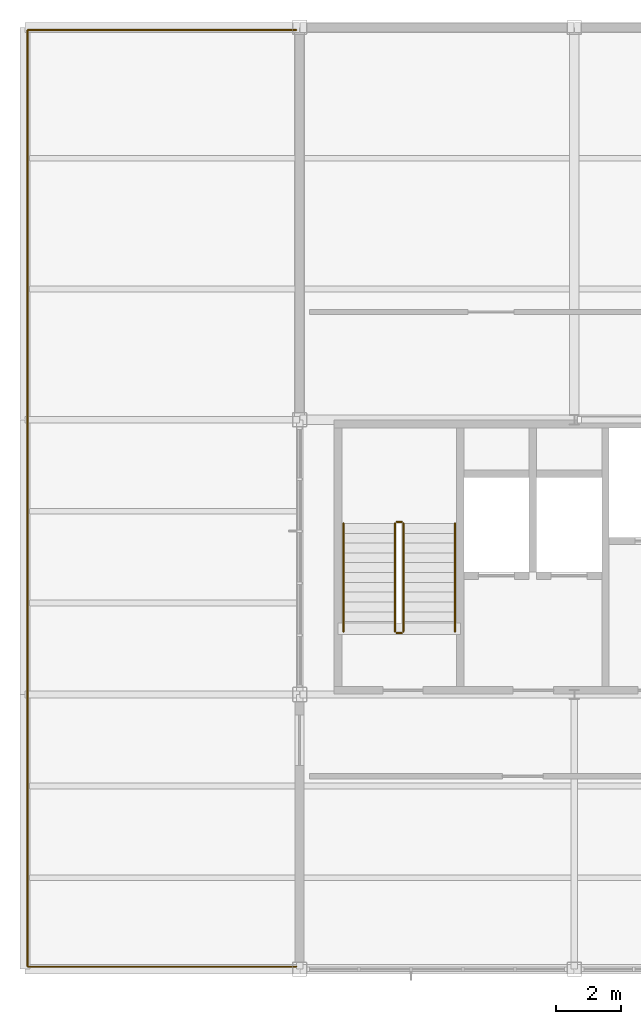
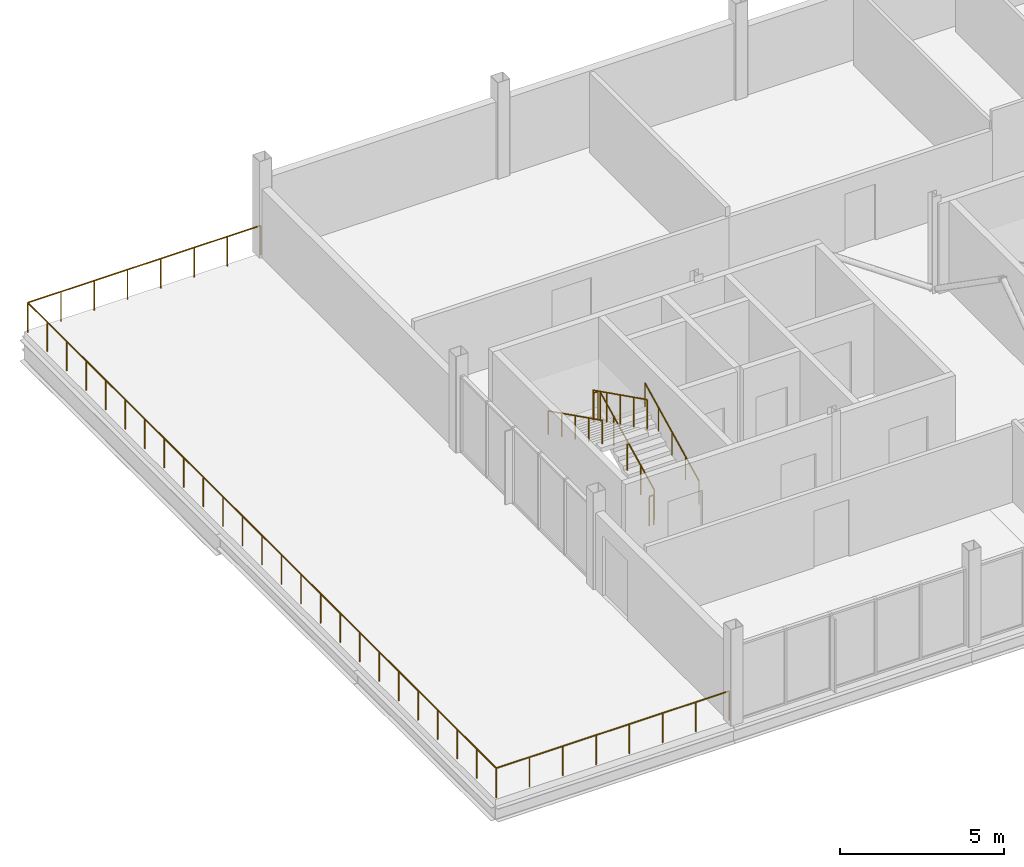
# One storey, part 13 of 14: 7 railings.
"""IFC4 building model written with IfcOpenShell, lengths in metres."""

from ifc_helpers import new_model, si_unit, direction, frame, origin, origin_2d, place, context, subcontext, project, spatial, circle, extrude, material, layer, layer_set, type_object, element, save


model = new_model("IFC4")

# Units and contexts
model_context = context("Model", 3, precision=1e-05, world=origin(), true_north=direction((0.0, 1.0)))
body_context = subcontext(model_context, "Body", "Model", "MODEL_VIEW")
ifc_project = project(units=[si_unit("LENGTHUNIT", "METRE"), si_unit("AREAUNIT", "SQUARE_METRE"), si_unit("VOLUMEUNIT", "CUBIC_METRE"), si_unit("PLANEANGLEUNIT", "RADIAN"), si_unit("MASSUNIT", "GRAM", prefix="KILO")], contexts=[model_context])

# Site, building, storey
site_placement = place(None, origin())
site = spatial("IfcSite", under=ifc_project, at=site_placement, CompositionType="ELEMENT")
building_placement = place(site_placement, origin())
building = spatial("IfcBuilding", under=site, at=building_placement, Name="Yukiwa Park Conservatory and Herbarium", CompositionType="ELEMENT")
storey_placement = place(building_placement, frame((0.0, 0.0, 50.39990234375)))
storey = spatial("IfcBuildingStorey", under=building, at=storey_placement, Name="L13", CompositionType="ELEMENT", Elevation=50.39990234375)

# Railings
ifc_material_1 = material(Name="Steel Q235B", Category="steel")
ifc_layer_1 = layer(ifc_material_1, 0.050048828125)
ifc_layer_set_1 = layer_set([ifc_layer_1], Name="Steel Q235B")
railing_type_1 = type_object("IfcRailingType", Name="RL-STAIR-GUARD-1120", PredefinedType="BALUSTRADE", material=ifc_layer_set_1)
railing_1_placement = place(storey_placement, frame((136.3701171875, 96.72998046875, 0.150146484375)))
element("IfcRailing", 1, at=railing_1_placement, inside=storey, type_object=railing_type_1, Name="L13 ST-T1 stair guard 1", PredefinedType="BALUSTRADE", context=body_context, shape_type="SweptSolid", body=[
    extrude(circle(Radius=0.02392578125, at=origin_2d()), frame((0.0, 0.0, 1.09619140625), z_axis=(0.0, 0.894440424912, 0.447187126696), x_axis=(-1.0, 0.0, 0.0)), (0.0, 0.0, 1.0), 3.689453125),
    extrude(circle(Radius=0.02099609375, at=origin_2d()), origin(), (0.0, 0.0, 1.0), 1.072021484375),
    extrude(circle(Radius=0.02099609375, at=origin_2d()), frame((0.0, 0.824951171875, 0.41259765625)), (0.0, 0.0, 1.0), 1.072021484375),
    extrude(circle(Radius=0.02099609375, at=origin_2d()), frame((0.0, 1.64990234375, 0.824951171875)), (0.0, 0.0, 1.0), 1.072021484375),
    extrude(circle(Radius=0.02099609375, at=origin_2d()), frame((0.0, 2.47509765625, 1.2373046875)), (0.0, 0.0, 1.0), 1.072021484375),
    extrude(circle(Radius=0.02099609375, at=origin_2d()), frame((0.0, 3.300048828125, 1.64990234375)), (0.0, 0.0, 1.0), 1.072021484375),
])
railing_2_placement = place(storey_placement, frame((136.320068359375, 100.080078125, 1.800048828125)))
element("IfcRailing", 2, at=railing_2_placement, inside=storey, type_object=railing_type_1, Name="L13 ST-T1 stair guard 2", PredefinedType="BALUSTRADE", context=body_context, shape_type="SweptSolid", body=[
    extrude(circle(Radius=0.02392578125, at=origin_2d()), frame((0.0, 0.0, 1.09619140625), z_axis=(-1.0, 0.0, 0.0), x_axis=(0.0, -1.0, 0.0)), (0.0, 0.0, 1.0), 0.150146484375),
    extrude(circle(Radius=0.02099609375, at=origin_2d()), origin(), (0.0, 0.0, 1.0), 1.072021484375),
    extrude(circle(Radius=0.02099609375, at=origin_2d()), frame((-0.150146484375, 0.0, 0.0)), (0.0, 0.0, 1.0), 1.072021484375),
])
railing_3_placement = place(storey_placement, frame((136.1201171875, 100.030029296875, 1.9501953125)))
element("IfcRailing", 3, at=railing_3_placement, inside=storey, type_object=railing_type_1, Name="L13 ST-T1 stair guard 3", PredefinedType="BALUSTRADE", context=body_context, shape_type="SweptSolid", body=[
    extrude(circle(Radius=0.02392578125, at=origin_2d()), frame((0.0, 0.0, 1.09619140625), z_axis=(0.0, -0.894440424912, 0.447187126696), x_axis=(1.0, 0.0, 0.0)), (0.0, 0.0, 1.0), 3.689453125),
    extrude(circle(Radius=0.02099609375, at=origin_2d()), origin(), (0.0, 0.0, 1.0), 1.072021484375),
    extrude(circle(Radius=0.02099609375, at=origin_2d()), frame((0.0, -0.824951171875, 0.41259765625)), (0.0, 0.0, 1.0), 1.072021484375),
    extrude(circle(Radius=0.02099609375, at=origin_2d()), frame((0.0, -1.64990234375, 0.824951171875)), (0.0, 0.0, 1.0), 1.072021484375),
    extrude(circle(Radius=0.02099609375, at=origin_2d()), frame((0.0, -2.47509765625, 1.2373046875)), (0.0, 0.0, 1.0), 1.072021484375),
    extrude(circle(Radius=0.02099609375, at=origin_2d()), frame((0.0, -3.300048828125, 1.64990234375)), (0.0, 0.0, 1.0), 1.072021484375),
])
railing_4_placement = place(storey_placement, frame((136.320068359375, 96.679931640625, 0.0)))
element("IfcRailing", 4, at=railing_4_placement, inside=storey, type_object=railing_type_1, Name="L13 ST-T1 stair guard 4", PredefinedType="BALUSTRADE", context=body_context, shape_type="SweptSolid", body=[
    extrude(circle(Radius=0.02392578125, at=origin_2d()), frame((0.0, 0.0, 1.09619140625), z_axis=(-1.0, 0.0, 0.0), x_axis=(0.0, -1.0, 0.0)), (0.0, 0.0, 1.0), 0.150146484375),
    extrude(circle(Radius=0.02099609375, at=origin_2d()), origin(), (0.0, 0.0, 1.0), 1.072021484375),
    extrude(circle(Radius=0.02099609375, at=origin_2d()), frame((-0.150146484375, 0.0, 0.0)), (0.0, 0.0, 1.0), 1.072021484375),
])
ifc_material_2 = material(Name="Steel Q235B", Category="steel")
ifc_layer_2 = layer(ifc_material_2, 0.044921875)
ifc_layer_set_2 = layer_set([ifc_layer_2], Name="Steel Q235B")
railing_type_2 = type_object("IfcRailingType", Name="RL-STAIR-RAIL-900", PredefinedType="HANDRAIL", material=ifc_layer_set_2)
railing_5_placement = place(storey_placement, frame((137.949951171875, 96.72998046875, 0.150146484375)))
element("IfcRailing", 5, at=railing_5_placement, inside=storey, type_object=railing_type_2, Name="L13 ST-T1 stair handrail 1", PredefinedType="HANDRAIL", context=body_context, shape_type="SweptSolid", body=[
    extrude(circle(Radius=0.02392578125, at=origin_2d()), frame((0.0, 0.0, 0.8759765625), z_axis=(0.0, 0.894440424912, 0.447187126696), x_axis=(-1.0, 0.0, 0.0)), (0.0, 0.0, 1.0), 3.689453125),
    extrude(circle(Radius=0.02099609375, at=origin_2d()), origin(), (0.0, 0.0, 1.0), 0.851806640625),
    extrude(circle(Radius=0.02099609375, at=origin_2d()), frame((0.0, 0.824951171875, 0.41259765625)), (0.0, 0.0, 1.0), 0.851806640625),
    extrude(circle(Radius=0.02099609375, at=origin_2d()), frame((0.0, 1.64990234375, 0.824951171875)), (0.0, 0.0, 1.0), 0.851806640625),
    extrude(circle(Radius=0.02099609375, at=origin_2d()), frame((0.0, 2.47509765625, 1.2373046875)), (0.0, 0.0, 1.0), 0.851806640625),
    extrude(circle(Radius=0.02099609375, at=origin_2d()), frame((0.0, 3.300048828125, 1.64990234375)), (0.0, 0.0, 1.0), 0.851806640625),
])
railing_6_placement = place(storey_placement, frame((134.5400390625, 100.030029296875, 1.9501953125)))
element("IfcRailing", 6, at=railing_6_placement, inside=storey, type_object=railing_type_2, Name="L13 ST-T1 stair handrail 2", PredefinedType="HANDRAIL", context=body_context, shape_type="SweptSolid", body=[
    extrude(circle(Radius=0.02392578125, at=origin_2d()), frame((0.0, 0.0, 0.8759765625), z_axis=(0.0, -0.894440424912, 0.447187126696), x_axis=(1.0, 0.0, 0.0)), (0.0, 0.0, 1.0), 3.689453125),
    extrude(circle(Radius=0.02099609375, at=origin_2d()), origin(), (0.0, 0.0, 1.0), 0.851806640625),
    extrude(circle(Radius=0.02099609375, at=origin_2d()), frame((0.0, -0.824951171875, 0.41259765625)), (0.0, 0.0, 1.0), 0.851806640625),
    extrude(circle(Radius=0.02099609375, at=origin_2d()), frame((0.0, -1.64990234375, 0.824951171875)), (0.0, 0.0, 1.0), 0.851806640625),
    extrude(circle(Radius=0.02099609375, at=origin_2d()), frame((0.0, -2.47509765625, 1.2373046875)), (0.0, 0.0, 1.0), 0.851806640625),
    extrude(circle(Radius=0.02099609375, at=origin_2d()), frame((0.0, -3.300048828125, 1.64990234375)), (0.0, 0.0, 1.0), 0.851806640625),
])
ifc_material_3 = material(Name="Steel Q235B", Category="steel")
ifc_layer_3 = layer(ifc_material_3, 0.06005859375)
ifc_layer_set_3 = layer_set([ifc_layer_3], Name="Steel Q235B")
railing_type_3 = type_object("IfcRailingType", Name="RL-TERRACE-GUARD-1120", PredefinedType="BALUSTRADE", material=ifc_layer_set_3)
railing_7_placement = place(storey_placement, frame((133.10009765625, 86.47998046875, 0.0)))
element("IfcRailing", 7, at=railing_7_placement, inside=storey, type_object=railing_type_3, Name="L13 outdoor terrace guard balustrade RL-TER-L13-WT", PredefinedType="BALUSTRADE", context=body_context, shape_type="SweptSolid", body=[
    extrude(circle(Radius=0.02392578125, at=origin_2d()), frame((0.0, 0.0, 1.09619140625), z_axis=(-1.0, 0.0, 0.0), x_axis=(0.0, -1.0, 0.0)), (0.0, 0.0, 1.0), 8.22021484375),
    extrude(circle(Radius=0.02392578125, at=origin_2d()), frame((-8.22021484375, 0.0, 1.09619140625), z_axis=(0.0, 1.0, 0.0), x_axis=(-1.0, 0.0, 0.0)), (0.0, 0.0, 1.0), 28.64013671875),
    extrude(circle(Radius=0.02392578125, at=origin_2d()), frame((-8.22021484375, 28.64013671875, 1.09619140625), z_axis=(1.0, 0.0, 0.0), x_axis=(0.0, 1.0, 0.0)), (0.0, 0.0, 1.0), 8.22021484375),
    extrude(circle(Radius=0.02099609375, at=origin_2d()), origin(), (0.0, 0.0, 1.0), 1.072021484375),
    extrude(circle(Radius=0.02099609375, at=origin_2d()), frame((-1.17431640625, 0.0, 0.0)), (0.0, 0.0, 1.0), 1.072021484375),
    extrude(circle(Radius=0.02099609375, at=origin_2d()), frame((-2.3486328125, 0.0, 0.0)), (0.0, 0.0, 1.0), 1.072021484375),
    extrude(circle(Radius=0.02099609375, at=origin_2d()), frame((-3.52294921875, 0.0, 0.0)), (0.0, 0.0, 1.0), 1.072021484375),
    extrude(circle(Radius=0.02099609375, at=origin_2d()), frame((-4.697265625, 0.0, 0.0)), (0.0, 0.0, 1.0), 1.072021484375),
    extrude(circle(Radius=0.02099609375, at=origin_2d()), frame((-5.87158203125, 0.0, 0.0)), (0.0, 0.0, 1.0), 1.072021484375),
    extrude(circle(Radius=0.02099609375, at=origin_2d()), frame((-7.0458984375, 0.0, 0.0)), (0.0, 0.0, 1.0), 1.072021484375),
    extrude(circle(Radius=0.02099609375, at=origin_2d()), frame((-8.22021484375, 0.0, 0.0)), (0.0, 0.0, 1.0), 1.072021484375),
    extrude(circle(Radius=0.02099609375, at=origin_2d()), frame((-8.22021484375, 1.193359375, 0.0)), (0.0, 0.0, 1.0), 1.072021484375),
    extrude(circle(Radius=0.02099609375, at=origin_2d()), frame((-8.22021484375, 2.38671875, 0.0)), (0.0, 0.0, 1.0), 1.072021484375),
    extrude(circle(Radius=0.02099609375, at=origin_2d()), frame((-8.22021484375, 3.580078125, 0.0)), (0.0, 0.0, 1.0), 1.072021484375),
    extrude(circle(Radius=0.02099609375, at=origin_2d()), frame((-8.22021484375, 4.7734375, 0.0)), (0.0, 0.0, 1.0), 1.072021484375),
    extrude(circle(Radius=0.02099609375, at=origin_2d()), frame((-8.22021484375, 5.966796875, 0.0)), (0.0, 0.0, 1.0), 1.072021484375),
    extrude(circle(Radius=0.02099609375, at=origin_2d()), frame((-8.22021484375, 7.16015625, 0.0)), (0.0, 0.0, 1.0), 1.072021484375),
    extrude(circle(Radius=0.02099609375, at=origin_2d()), frame((-8.22021484375, 8.353271484375, 0.0)), (0.0, 0.0, 1.0), 1.072021484375),
    extrude(circle(Radius=0.02099609375, at=origin_2d()), frame((-8.22021484375, 9.546630859375, 0.0)), (0.0, 0.0, 1.0), 1.072021484375),
    extrude(circle(Radius=0.02099609375, at=origin_2d()), frame((-8.22021484375, 10.739990234375, 0.0)), (0.0, 0.0, 1.0), 1.072021484375),
    extrude(circle(Radius=0.02099609375, at=origin_2d()), frame((-8.22021484375, 11.933349609375, 0.0)), (0.0, 0.0, 1.0), 1.072021484375),
    extrude(circle(Radius=0.02099609375, at=origin_2d()), frame((-8.22021484375, 13.126708984375, 0.0)), (0.0, 0.0, 1.0), 1.072021484375),
    extrude(circle(Radius=0.02099609375, at=origin_2d()), frame((-8.22021484375, 14.320068359375, 0.0)), (0.0, 0.0, 1.0), 1.072021484375),
    extrude(circle(Radius=0.02099609375, at=origin_2d()), frame((-8.22021484375, 15.513427734375, 0.0)), (0.0, 0.0, 1.0), 1.072021484375),
    extrude(circle(Radius=0.02099609375, at=origin_2d()), frame((-8.22021484375, 16.706787109375, 0.0)), (0.0, 0.0, 1.0), 1.072021484375),
    extrude(circle(Radius=0.02099609375, at=origin_2d()), frame((-8.22021484375, 17.900146484375, 0.0)), (0.0, 0.0, 1.0), 1.072021484375),
    extrude(circle(Radius=0.02099609375, at=origin_2d()), frame((-8.22021484375, 19.093505859375, 0.0)), (0.0, 0.0, 1.0), 1.072021484375),
    extrude(circle(Radius=0.02099609375, at=origin_2d()), frame((-8.22021484375, 20.286865234375, 0.0)), (0.0, 0.0, 1.0), 1.072021484375),
    extrude(circle(Radius=0.02099609375, at=origin_2d()), frame((-8.22021484375, 21.47998046875, 0.0)), (0.0, 0.0, 1.0), 1.072021484375),
    extrude(circle(Radius=0.02099609375, at=origin_2d()), frame((-8.22021484375, 22.67333984375, 0.0)), (0.0, 0.0, 1.0), 1.072021484375),
    extrude(circle(Radius=0.02099609375, at=origin_2d()), frame((-8.22021484375, 23.86669921875, 0.0)), (0.0, 0.0, 1.0), 1.072021484375),
    extrude(circle(Radius=0.02099609375, at=origin_2d()), frame((-8.22021484375, 25.06005859375, 0.0)), (0.0, 0.0, 1.0), 1.072021484375),
    extrude(circle(Radius=0.02099609375, at=origin_2d()), frame((-8.22021484375, 26.25341796875, 0.0)), (0.0, 0.0, 1.0), 1.072021484375),
    extrude(circle(Radius=0.02099609375, at=origin_2d()), frame((-8.22021484375, 27.44677734375, 0.0)), (0.0, 0.0, 1.0), 1.072021484375),
    extrude(circle(Radius=0.02099609375, at=origin_2d()), frame((-8.22021484375, 28.64013671875, 0.0)), (0.0, 0.0, 1.0), 1.072021484375),
    extrude(circle(Radius=0.02099609375, at=origin_2d()), frame((-7.0458984375, 28.64013671875, 0.0)), (0.0, 0.0, 1.0), 1.072021484375),
    extrude(circle(Radius=0.02099609375, at=origin_2d()), frame((-5.87158203125, 28.64013671875, 0.0)), (0.0, 0.0, 1.0), 1.072021484375),
    extrude(circle(Radius=0.02099609375, at=origin_2d()), frame((-4.697265625, 28.64013671875, 0.0)), (0.0, 0.0, 1.0), 1.072021484375),
    extrude(circle(Radius=0.02099609375, at=origin_2d()), frame((-3.52294921875, 28.64013671875, 0.0)), (0.0, 0.0, 1.0), 1.072021484375),
    extrude(circle(Radius=0.02099609375, at=origin_2d()), frame((-2.3486328125, 28.64013671875, 0.0)), (0.0, 0.0, 1.0), 1.072021484375),
    extrude(circle(Radius=0.02099609375, at=origin_2d()), frame((-1.17431640625, 28.64013671875, 0.0)), (0.0, 0.0, 1.0), 1.072021484375),
    extrude(circle(Radius=0.02099609375, at=origin_2d()), frame((0.0, 28.64013671875, 0.0)), (0.0, 0.0, 1.0), 1.072021484375),
])

save(model, "model.ifc")
